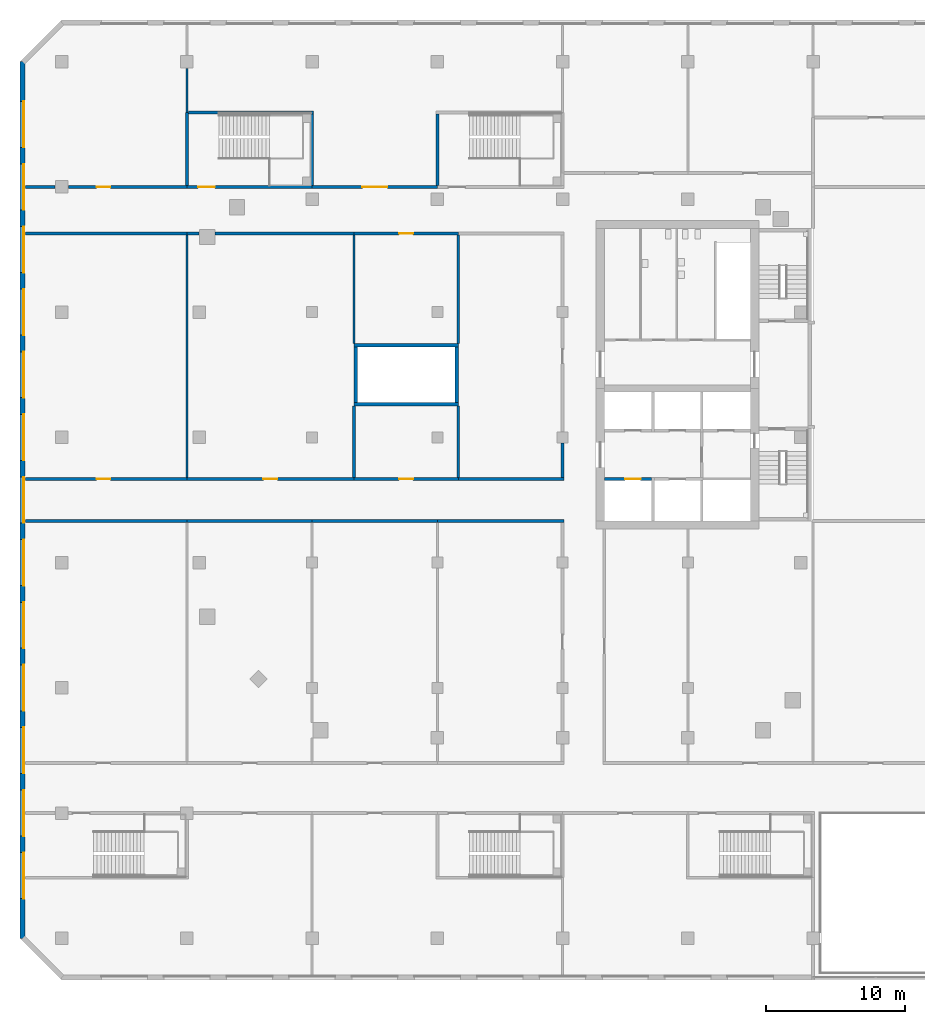
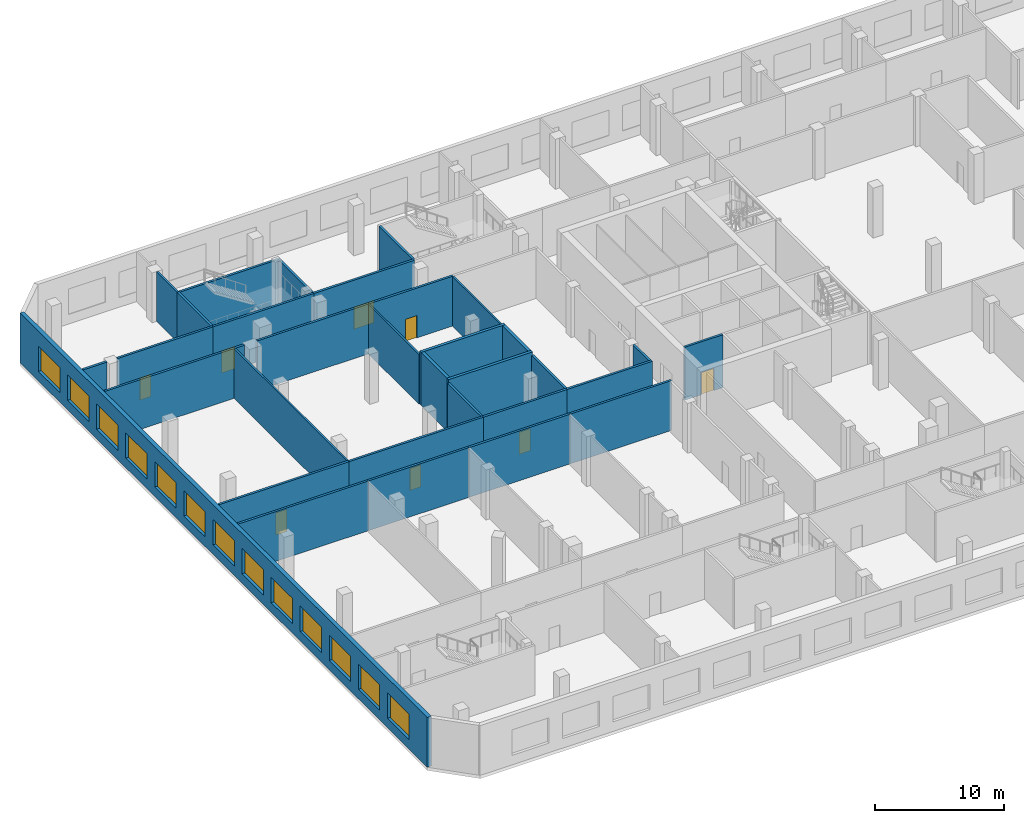
# One storey, part 8 of 23: 33 walls, 13 windows, 8 doors, 21 openings.
"""IFC4 building model written with IfcOpenShell, lengths in metres."""

from ifc_helpers import new_model, si_unit, direction, frame, frame_2d, origin, place, context, subcontext, project, spatial, rectangle, extrude, material, layer, layer_set, type_object, element, fill, save


model = new_model("IFC4")

# Units and contexts
model_context = context("Model", 3, precision=1e-05, world=origin(), true_north=direction((0.0, 1.0)))
body_context = subcontext(model_context, "Body", "Model", "MODEL_VIEW")
ifc_project = project(units=[si_unit("LENGTHUNIT", "METRE"), si_unit("AREAUNIT", "SQUARE_METRE"), si_unit("VOLUMEUNIT", "CUBIC_METRE"), si_unit("PLANEANGLEUNIT", "RADIAN"), si_unit("MASSUNIT", "GRAM", prefix="KILO")], contexts=[model_context])

# Site, building, storey
site_placement = place(None, origin())
site = spatial("IfcSite", under=ifc_project, at=site_placement, CompositionType="ELEMENT")
building_placement = place(site_placement, origin())
building = spatial("IfcBuilding", under=site, at=building_placement, Name="Cinnabar Reach Civic Tower", CompositionType="ELEMENT")
storey_placement = place(building_placement, frame((0.0, 0.0, 6.0)))
storey = spatial("IfcBuildingStorey", under=building, at=storey_placement, Name="L01", CompositionType="ELEMENT", Elevation=6.0)

# Wall, openings, windows
ifc_material_1 = material(Name="Facing brick with insulated backing", Category="masonry")
ifc_layer_1 = layer(ifc_material_1, 0.36)
ifc_layer_set_1 = layer_set([ifc_layer_1], Name="Brick pier and spandrel wall")
wall_type_1 = type_object("IfcWallType", Name="Brick pier and spandrel wall", PredefinedType="STANDARD", material=ifc_layer_set_1)
wall_1_placement = place(storey_placement, frame((-83.82, 54.0, 0.0), z_axis=(0.0, 0.0, 1.0), x_axis=(0.0, -1.0, 0.0)))
wall_1 = element("IfcWall", 1, at=wall_1_placement, inside=storey, type_object=wall_type_1, Name="Brick facade wall", PredefinedType="STANDARD", context=body_context, shape_type="SweptSolid", body=[
    extrude(rectangle(XDim=63.0, YDim=0.36, at=frame_2d((31.5, 0.0))), origin(), (0.0, 0.0, 1.0), 4.7),
])
opening_1_placement = place(wall_1_placement, frame((2.85, 0.0, 0.9)))
opening_1 = element("IfcOpeningElement", 2, at=opening_1_placement, cuts=wall_1, Name="Opening W2919", PredefinedType="OPENING", context=body_context, shape_type="SweptSolid", body=[
    extrude(rectangle(XDim=3.3, YDim=2.4, at=frame_2d((1.65, 1.2))), frame((0.0, 0.19, 0.0), z_axis=(0.0, -1.0, 0.0), x_axis=(1.0, 0.0, 0.0)), (0.0, 0.0, 1.0), 0.38),
])
opening_2_placement = place(wall_1_placement, frame((7.35, 0.0, 0.9)))
opening_2 = element("IfcOpeningElement", 3, at=opening_2_placement, cuts=wall_1, Name="Opening W2920", PredefinedType="OPENING", context=body_context, shape_type="SweptSolid", body=[
    extrude(rectangle(XDim=3.3, YDim=2.4, at=frame_2d((1.65, 1.2))), frame((0.0, 0.19, 0.0), z_axis=(0.0, -1.0, 0.0), x_axis=(1.0, 0.0, 0.0)), (0.0, 0.0, 1.0), 0.38),
])
opening_3_placement = place(wall_1_placement, frame((11.85, 0.0, 0.9)))
opening_3 = element("IfcOpeningElement", 4, at=opening_3_placement, cuts=wall_1, Name="Opening W2921", PredefinedType="OPENING", context=body_context, shape_type="SweptSolid", body=[
    extrude(rectangle(XDim=3.3, YDim=2.4, at=frame_2d((1.65, 1.2))), frame((0.0, 0.19, 0.0), z_axis=(0.0, -1.0, 0.0), x_axis=(1.0, 0.0, 0.0)), (0.0, 0.0, 1.0), 0.38),
])
opening_4_placement = place(wall_1_placement, frame((16.35, 0.0, 0.9)))
opening_4 = element("IfcOpeningElement", 5, at=opening_4_placement, cuts=wall_1, Name="Opening W2922", PredefinedType="OPENING", context=body_context, shape_type="SweptSolid", body=[
    extrude(rectangle(XDim=3.3, YDim=2.4, at=frame_2d((1.65, 1.2))), frame((0.0, 0.19, 0.0), z_axis=(0.0, -1.0, 0.0), x_axis=(1.0, 0.0, 0.0)), (0.0, 0.0, 1.0), 0.38),
])
opening_5_placement = place(wall_1_placement, frame((20.85, 0.0, 0.9)))
opening_5 = element("IfcOpeningElement", 6, at=opening_5_placement, cuts=wall_1, Name="Opening W2923", PredefinedType="OPENING", context=body_context, shape_type="SweptSolid", body=[
    extrude(rectangle(XDim=3.3, YDim=2.4, at=frame_2d((1.65, 1.2))), frame((0.0, 0.19, 0.0), z_axis=(0.0, -1.0, 0.0), x_axis=(1.0, 0.0, 0.0)), (0.0, 0.0, 1.0), 0.38),
])
opening_6_placement = place(wall_1_placement, frame((25.35, 0.0, 0.9)))
opening_6 = element("IfcOpeningElement", 7, at=opening_6_placement, cuts=wall_1, Name="Opening W2924", PredefinedType="OPENING", context=body_context, shape_type="SweptSolid", body=[
    extrude(rectangle(XDim=3.3, YDim=2.4, at=frame_2d((1.65, 1.2))), frame((0.0, 0.19, 0.0), z_axis=(0.0, -1.0, 0.0), x_axis=(1.0, 0.0, 0.0)), (0.0, 0.0, 1.0), 0.38),
])
opening_7_placement = place(wall_1_placement, frame((29.85, 0.0, 0.9)))
opening_7 = element("IfcOpeningElement", 8, at=opening_7_placement, cuts=wall_1, Name="Opening W2925", PredefinedType="OPENING", context=body_context, shape_type="SweptSolid", body=[
    extrude(rectangle(XDim=3.3, YDim=2.4, at=frame_2d((1.65, 1.2))), frame((0.0, 0.19, 0.0), z_axis=(0.0, -1.0, 0.0), x_axis=(1.0, 0.0, 0.0)), (0.0, 0.0, 1.0), 0.38),
])
opening_8_placement = place(wall_1_placement, frame((34.35, 0.0, 0.9)))
opening_8 = element("IfcOpeningElement", 9, at=opening_8_placement, cuts=wall_1, Name="Opening W2926", PredefinedType="OPENING", context=body_context, shape_type="SweptSolid", body=[
    extrude(rectangle(XDim=3.3, YDim=2.4, at=frame_2d((1.65, 1.2))), frame((0.0, 0.19, 0.0), z_axis=(0.0, -1.0, 0.0), x_axis=(1.0, 0.0, 0.0)), (0.0, 0.0, 1.0), 0.38),
])
opening_9_placement = place(wall_1_placement, frame((38.85, 0.0, 0.9)))
opening_9 = element("IfcOpeningElement", 10, at=opening_9_placement, cuts=wall_1, Name="Opening W2927", PredefinedType="OPENING", context=body_context, shape_type="SweptSolid", body=[
    extrude(rectangle(XDim=3.3, YDim=2.4, at=frame_2d((1.65, 1.2))), frame((0.0, 0.19, 0.0), z_axis=(0.0, -1.0, 0.0), x_axis=(1.0, 0.0, 0.0)), (0.0, 0.0, 1.0), 0.38),
])
opening_10_placement = place(wall_1_placement, frame((43.35, 0.0, 0.9)))
opening_10 = element("IfcOpeningElement", 11, at=opening_10_placement, cuts=wall_1, Name="Opening W2928", PredefinedType="OPENING", context=body_context, shape_type="SweptSolid", body=[
    extrude(rectangle(XDim=3.3, YDim=2.4, at=frame_2d((1.65, 1.2))), frame((0.0, 0.19, 0.0), z_axis=(0.0, -1.0, 0.0), x_axis=(1.0, 0.0, 0.0)), (0.0, 0.0, 1.0), 0.38),
])
opening_11_placement = place(wall_1_placement, frame((47.85, 0.0, 0.9)))
opening_11 = element("IfcOpeningElement", 12, at=opening_11_placement, cuts=wall_1, Name="Opening W2929", PredefinedType="OPENING", context=body_context, shape_type="SweptSolid", body=[
    extrude(rectangle(XDim=3.3, YDim=2.4, at=frame_2d((1.65, 1.2))), frame((0.0, 0.19, 0.0), z_axis=(0.0, -1.0, 0.0), x_axis=(1.0, 0.0, 0.0)), (0.0, 0.0, 1.0), 0.38),
])
opening_12_placement = place(wall_1_placement, frame((52.35, 0.0, 0.9)))
opening_12 = element("IfcOpeningElement", 13, at=opening_12_placement, cuts=wall_1, Name="Opening W2930", PredefinedType="OPENING", context=body_context, shape_type="SweptSolid", body=[
    extrude(rectangle(XDim=3.3, YDim=2.4, at=frame_2d((1.65, 1.2))), frame((0.0, 0.19, 0.0), z_axis=(0.0, -1.0, 0.0), x_axis=(1.0, 0.0, 0.0)), (0.0, 0.0, 1.0), 0.38),
])
opening_13_placement = place(wall_1_placement, frame((56.85, 0.0, 0.9)))
opening_13 = element("IfcOpeningElement", 14, at=opening_13_placement, cuts=wall_1, Name="Opening W2931", PredefinedType="OPENING", context=body_context, shape_type="SweptSolid", body=[
    extrude(rectangle(XDim=3.3, YDim=2.4, at=frame_2d((1.65, 1.2))), frame((0.0, 0.19, 0.0), z_axis=(0.0, -1.0, 0.0), x_axis=(1.0, 0.0, 0.0)), (0.0, 0.0, 1.0), 0.38),
])
ifc_material_2 = material(Name="Clear double glazing in aluminium frame", Category="aluminium")
window_type = type_object("IfcWindowType", Name="Podium window P", PartitioningType="SINGLE_PANEL", PredefinedType="WINDOW", material=ifc_material_2)
window_1_placement = place(opening_1_placement, origin())
window_1 = element("IfcWindow", 15, at=window_1_placement, inside=storey, type_object=window_type, Name="Window west face", OverallHeight=2.4, OverallWidth=3.3, PartitioningType="SINGLE_PANEL", PredefinedType="WINDOW", context=body_context, shape_type="SweptSolid", body=[
    extrude(rectangle(XDim=3.3, YDim=2.4, at=frame_2d((1.65, 1.2))), frame((0.0, 0.13, 0.0), z_axis=(0.0, -1.0, 0.0), x_axis=(1.0, 0.0, 0.0)), (0.0, 0.0, 1.0), 0.06),
])
fill(opening_1, window_1)
window_2_placement = place(opening_2_placement, origin())
window_2 = element("IfcWindow", 16, at=window_2_placement, inside=storey, type_object=window_type, Name="Window west face", OverallHeight=2.4, OverallWidth=3.3, PartitioningType="SINGLE_PANEL", PredefinedType="WINDOW", context=body_context, shape_type="SweptSolid", body=[
    extrude(rectangle(XDim=3.3, YDim=2.4, at=frame_2d((1.65, 1.2))), frame((0.0, 0.13, 0.0), z_axis=(0.0, -1.0, 0.0), x_axis=(1.0, 0.0, 0.0)), (0.0, 0.0, 1.0), 0.06),
])
fill(opening_2, window_2)
window_3_placement = place(opening_3_placement, origin())
window_3 = element("IfcWindow", 17, at=window_3_placement, inside=storey, type_object=window_type, Name="Window west face", OverallHeight=2.4, OverallWidth=3.3, PartitioningType="SINGLE_PANEL", PredefinedType="WINDOW", context=body_context, shape_type="SweptSolid", body=[
    extrude(rectangle(XDim=3.3, YDim=2.4, at=frame_2d((1.65, 1.2))), frame((0.0, 0.13, 0.0), z_axis=(0.0, -1.0, 0.0), x_axis=(1.0, 0.0, 0.0)), (0.0, 0.0, 1.0), 0.06),
])
fill(opening_3, window_3)
window_4_placement = place(opening_4_placement, origin())
window_4 = element("IfcWindow", 18, at=window_4_placement, inside=storey, type_object=window_type, Name="Window west face", OverallHeight=2.4, OverallWidth=3.3, PartitioningType="SINGLE_PANEL", PredefinedType="WINDOW", context=body_context, shape_type="SweptSolid", body=[
    extrude(rectangle(XDim=3.3, YDim=2.4, at=frame_2d((1.65, 1.2))), frame((0.0, 0.13, 0.0), z_axis=(0.0, -1.0, 0.0), x_axis=(1.0, 0.0, 0.0)), (0.0, 0.0, 1.0), 0.06),
])
fill(opening_4, window_4)
window_5_placement = place(opening_5_placement, origin())
window_5 = element("IfcWindow", 19, at=window_5_placement, inside=storey, type_object=window_type, Name="Window west face", OverallHeight=2.4, OverallWidth=3.3, PartitioningType="SINGLE_PANEL", PredefinedType="WINDOW", context=body_context, shape_type="SweptSolid", body=[
    extrude(rectangle(XDim=3.3, YDim=2.4, at=frame_2d((1.65, 1.2))), frame((0.0, 0.13, 0.0), z_axis=(0.0, -1.0, 0.0), x_axis=(1.0, 0.0, 0.0)), (0.0, 0.0, 1.0), 0.06),
])
fill(opening_5, window_5)
window_6_placement = place(opening_6_placement, origin())
window_6 = element("IfcWindow", 20, at=window_6_placement, inside=storey, type_object=window_type, Name="Window west face", OverallHeight=2.4, OverallWidth=3.3, PartitioningType="SINGLE_PANEL", PredefinedType="WINDOW", context=body_context, shape_type="SweptSolid", body=[
    extrude(rectangle(XDim=3.3, YDim=2.4, at=frame_2d((1.65, 1.2))), frame((0.0, 0.13, 0.0), z_axis=(0.0, -1.0, 0.0), x_axis=(1.0, 0.0, 0.0)), (0.0, 0.0, 1.0), 0.06),
])
fill(opening_6, window_6)
window_7_placement = place(opening_7_placement, origin())
window_7 = element("IfcWindow", 21, at=window_7_placement, inside=storey, type_object=window_type, Name="Window west face", OverallHeight=2.4, OverallWidth=3.3, PartitioningType="SINGLE_PANEL", PredefinedType="WINDOW", context=body_context, shape_type="SweptSolid", body=[
    extrude(rectangle(XDim=3.3, YDim=2.4, at=frame_2d((1.65, 1.2))), frame((0.0, 0.13, 0.0), z_axis=(0.0, -1.0, 0.0), x_axis=(1.0, 0.0, 0.0)), (0.0, 0.0, 1.0), 0.06),
])
fill(opening_7, window_7)
window_8_placement = place(opening_8_placement, origin())
window_8 = element("IfcWindow", 22, at=window_8_placement, inside=storey, type_object=window_type, Name="Window west face", OverallHeight=2.4, OverallWidth=3.3, PartitioningType="SINGLE_PANEL", PredefinedType="WINDOW", context=body_context, shape_type="SweptSolid", body=[
    extrude(rectangle(XDim=3.3, YDim=2.4, at=frame_2d((1.65, 1.2))), frame((0.0, 0.13, 0.0), z_axis=(0.0, -1.0, 0.0), x_axis=(1.0, 0.0, 0.0)), (0.0, 0.0, 1.0), 0.06),
])
fill(opening_8, window_8)
window_9_placement = place(opening_9_placement, origin())
window_9 = element("IfcWindow", 23, at=window_9_placement, inside=storey, type_object=window_type, Name="Window west face", OverallHeight=2.4, OverallWidth=3.3, PartitioningType="SINGLE_PANEL", PredefinedType="WINDOW", context=body_context, shape_type="SweptSolid", body=[
    extrude(rectangle(XDim=3.3, YDim=2.4, at=frame_2d((1.65, 1.2))), frame((0.0, 0.13, 0.0), z_axis=(0.0, -1.0, 0.0), x_axis=(1.0, 0.0, 0.0)), (0.0, 0.0, 1.0), 0.06),
])
fill(opening_9, window_9)
window_10_placement = place(opening_10_placement, origin())
window_10 = element("IfcWindow", 24, at=window_10_placement, inside=storey, type_object=window_type, Name="Window west face", OverallHeight=2.4, OverallWidth=3.3, PartitioningType="SINGLE_PANEL", PredefinedType="WINDOW", context=body_context, shape_type="SweptSolid", body=[
    extrude(rectangle(XDim=3.3, YDim=2.4, at=frame_2d((1.65, 1.2))), frame((0.0, 0.13, 0.0), z_axis=(0.0, -1.0, 0.0), x_axis=(1.0, 0.0, 0.0)), (0.0, 0.0, 1.0), 0.06),
])
fill(opening_10, window_10)
window_11_placement = place(opening_11_placement, origin())
window_11 = element("IfcWindow", 25, at=window_11_placement, inside=storey, type_object=window_type, Name="Window west face", OverallHeight=2.4, OverallWidth=3.3, PartitioningType="SINGLE_PANEL", PredefinedType="WINDOW", context=body_context, shape_type="SweptSolid", body=[
    extrude(rectangle(XDim=3.3, YDim=2.4, at=frame_2d((1.65, 1.2))), frame((0.0, 0.13, 0.0), z_axis=(0.0, -1.0, 0.0), x_axis=(1.0, 0.0, 0.0)), (0.0, 0.0, 1.0), 0.06),
])
fill(opening_11, window_11)
window_12_placement = place(opening_12_placement, origin())
window_12 = element("IfcWindow", 26, at=window_12_placement, inside=storey, type_object=window_type, Name="Window west face", OverallHeight=2.4, OverallWidth=3.3, PartitioningType="SINGLE_PANEL", PredefinedType="WINDOW", context=body_context, shape_type="SweptSolid", body=[
    extrude(rectangle(XDim=3.3, YDim=2.4, at=frame_2d((1.65, 1.2))), frame((0.0, 0.13, 0.0), z_axis=(0.0, -1.0, 0.0), x_axis=(1.0, 0.0, 0.0)), (0.0, 0.0, 1.0), 0.06),
])
fill(opening_12, window_12)
window_13_placement = place(opening_13_placement, origin())
window_13 = element("IfcWindow", 27, at=window_13_placement, inside=storey, type_object=window_type, Name="Window west face", OverallHeight=2.4, OverallWidth=3.3, PartitioningType="SINGLE_PANEL", PredefinedType="WINDOW", context=body_context, shape_type="SweptSolid", body=[
    extrude(rectangle(XDim=3.3, YDim=2.4, at=frame_2d((1.65, 1.2))), frame((0.0, 0.13, 0.0), z_axis=(0.0, -1.0, 0.0), x_axis=(1.0, 0.0, 0.0)), (0.0, 0.0, 1.0), 0.06),
])
fill(opening_13, window_13)

# Walls
ifc_material_3 = material(Name="Concrete blockwork", Category="masonry")
ifc_layer_2 = layer(ifc_material_3, 0.2)
ifc_layer_set_2 = layer_set([ifc_layer_2], Name="Podium masonry corridor wall 200 EI 120")
wall_type_2 = type_object("IfcWallType", Name="Podium masonry corridor wall 200 EI 120", PredefinedType="PARTITIONING", material=ifc_layer_set_2)
wall_2_placement = place(storey_placement, frame((-45.0, 24.1, 0.0), z_axis=(0.0, 0.0, 1.0), x_axis=(0.0, 1.0, 0.0)))
element("IfcWall", 28, at=wall_2_placement, inside=storey, type_object=wall_type_2, Name="Wall L01 74", PredefinedType="PARTITIONING", context=body_context, shape_type="SweptSolid", body=[
    extrude(rectangle(XDim=2.48, YDim=0.2, at=frame_2d((1.24, 0.0))), origin(), (0.0, 0.0, 1.0), 4.7),
])
wall_3_placement = place(storey_placement, frame((-83.6, 21.0, 0.0), z_axis=(0.0, 0.0, 1.0), x_axis=(1.0, 0.0, 0.0)))
element("IfcWall", 29, at=wall_3_placement, inside=storey, type_object=wall_type_2, Name="Wall L01 77", PredefinedType="PARTITIONING", context=body_context, shape_type="SweptSolid", body=[
    extrude(rectangle(XDim=11.6, YDim=0.2, at=frame_2d((5.8, 0.0))), origin(), (0.0, 0.0, 1.0), 4.7),
])
for number, where, z_axis, x_axis, name in (
    (30, (-72.0, 21.0, 0.0), (0.0, 0.0, 1.0), (1.0, 0.0, 0.0), "Wall L01 78"),
    (31, (-63.0, 21.0, 0.0), (0.0, 0.0, 1.0), (1.0, 0.0, 0.0), "Wall L01 79"),
):
    element("IfcWall", number, at=place(storey_placement, frame(where, z_axis=z_axis, x_axis=x_axis)), inside=storey, type_object=wall_type_2, Name=name, PredefinedType="PARTITIONING", context=body_context, shape_type="SweptSolid", body=[
        extrude(rectangle(XDim=9.0, YDim=0.2, at=frame_2d((4.5, 0.0))), origin(), (0.0, 0.0, 1.0), 4.7),
    ])
wall_4_placement = place(storey_placement, frame((-54.0, 21.0, 0.0), z_axis=(0.0, 0.0, 1.0), x_axis=(1.0, 0.0, 0.0)))
element("IfcWall", 32, at=wall_4_placement, inside=storey, type_object=wall_type_2, Name="Wall L01 80", PredefinedType="PARTITIONING", context=body_context, shape_type="SweptSolid", body=[
    extrude(rectangle(XDim=9.1, YDim=0.2, at=frame_2d((4.55, 0.0))), origin(), (0.0, 0.0, 1.0), 4.7),
])

# Wall, opening, door
wall_5_placement = place(storey_placement, frame((-83.6, 24.0, 0.0), z_axis=(0.0, 0.0, 1.0), x_axis=(1.0, 0.0, 0.0)))
wall_5 = element("IfcWall", 33, at=wall_5_placement, inside=storey, type_object=wall_type_2, Name="Wall L01 81", PredefinedType="PARTITIONING", context=body_context, shape_type="SweptSolid", body=[
    extrude(rectangle(XDim=11.6, YDim=0.2, at=frame_2d((5.8, 0.0))), origin(), (0.0, 0.0, 1.0), 4.7),
])
opening_14_placement = place(wall_5_placement, frame((5.1, 0.0, 0.0)))
opening_14 = element("IfcOpeningElement", 34, at=opening_14_placement, cuts=wall_5, Name="Opening D1073", PredefinedType="OPENING", context=body_context, shape_type="SweptSolid", body=[
    extrude(rectangle(XDim=1.0, YDim=2.1, at=frame_2d((0.5, 1.05))), frame((0.0, 0.11, 0.0), z_axis=(0.0, -1.0, 0.0), x_axis=(1.0, 0.0, 0.0)), (0.0, 0.0, 1.0), 0.22),
])
ifc_material_4 = material(Name="Painted steel door leaf", Category="steel")
door_type_1 = type_object("IfcDoorType", Name="Podium single door 1000x2100", OperationType="SINGLE_SWING_LEFT", PredefinedType="DOOR", material=ifc_material_4)
door_1_placement = place(opening_14_placement, origin())
door_1 = element("IfcDoor", 35, at=door_1_placement, inside=storey, type_object=door_type_1, Name="Door D1073", OperationType="SINGLE_SWING_RIGHT", OverallHeight=2.1, OverallWidth=1.0, PredefinedType="DOOR", context=body_context, shape_type="SweptSolid", body=[
    extrude(rectangle(XDim=1.0, YDim=2.1, at=frame_2d((0.5, 1.05))), frame((0.0, 0.025, 0.0), z_axis=(0.0, -1.0, 0.0), x_axis=(1.0, 0.0, 0.0)), (0.0, 0.0, 1.0), 0.05),
])
fill(opening_14, door_1)

wall_6_placement = place(storey_placement, frame((-72.0, 24.0, 0.0), z_axis=(0.0, 0.0, 1.0), x_axis=(1.0, 0.0, 0.0)))
wall_6 = element("IfcWall", 36, at=wall_6_placement, inside=storey, type_object=wall_type_2, Name="Wall L01 82", PredefinedType="PARTITIONING", context=body_context, shape_type="SweptSolid", body=[
    extrude(rectangle(XDim=12.0, YDim=0.2, at=frame_2d((6.0, 0.0))), origin(), (0.0, 0.0, 1.0), 4.7),
])
opening_15_placement = place(wall_6_placement, frame((5.5, 0.0, 0.0)))
opening_15 = element("IfcOpeningElement", 37, at=opening_15_placement, cuts=wall_6, Name="Opening D1074", PredefinedType="OPENING", context=body_context, shape_type="SweptSolid", body=[
    extrude(rectangle(XDim=1.0, YDim=2.1, at=frame_2d((0.5, 1.05))), frame((0.0, 0.11, 0.0), z_axis=(0.0, -1.0, 0.0), x_axis=(1.0, 0.0, 0.0)), (0.0, 0.0, 1.0), 0.22),
])
door_2_placement = place(opening_15_placement, origin())
door_2 = element("IfcDoor", 38, at=door_2_placement, inside=storey, type_object=door_type_1, Name="Door D1074", OperationType="SINGLE_SWING_RIGHT", OverallHeight=2.1, OverallWidth=1.0, PredefinedType="DOOR", context=body_context, shape_type="SweptSolid", body=[
    extrude(rectangle(XDim=1.0, YDim=2.1, at=frame_2d((0.5, 1.05))), frame((0.0, 0.025, 0.0), z_axis=(0.0, -1.0, 0.0), x_axis=(1.0, 0.0, 0.0)), (0.0, 0.0, 1.0), 0.05),
])
fill(opening_15, door_2)

wall_7_placement = place(storey_placement, frame((-60.0, 24.0, 0.0), z_axis=(0.0, 0.0, 1.0), x_axis=(1.0, 0.0, 0.0)))
wall_7 = element("IfcWall", 39, at=wall_7_placement, inside=storey, type_object=wall_type_2, Name="Wall L01 83", PredefinedType="PARTITIONING", context=body_context, shape_type="SweptSolid", body=[
    extrude(rectangle(XDim=7.5, YDim=0.2, at=frame_2d((3.75, 0.0))), origin(), (0.0, 0.0, 1.0), 4.7),
])
opening_16_placement = place(wall_7_placement, frame((3.25, 0.0, 0.0)))
opening_16 = element("IfcOpeningElement", 40, at=opening_16_placement, cuts=wall_7, Name="Opening D1075", PredefinedType="OPENING", context=body_context, shape_type="SweptSolid", body=[
    extrude(rectangle(XDim=1.0, YDim=2.1, at=frame_2d((0.5, 1.05))), frame((0.0, 0.11, 0.0), z_axis=(0.0, -1.0, 0.0), x_axis=(1.0, 0.0, 0.0)), (0.0, 0.0, 1.0), 0.22),
])
door_3_placement = place(opening_16_placement, origin())
door_3 = element("IfcDoor", 41, at=door_3_placement, inside=storey, type_object=door_type_1, Name="Door D1075", OperationType="SINGLE_SWING_LEFT", OverallHeight=2.1, OverallWidth=1.0, PredefinedType="DOOR", context=body_context, shape_type="SweptSolid", body=[
    extrude(rectangle(XDim=1.0, YDim=2.1, at=frame_2d((0.5, 1.05))), frame((0.0, 0.025, 0.0), z_axis=(0.0, -1.0, 0.0), x_axis=(1.0, 0.0, 0.0)), (0.0, 0.0, 1.0), 0.05),
])
fill(opening_16, door_3)

# Walls
wall_8_placement = place(storey_placement, frame((-52.5, 24.0, 0.0), z_axis=(0.0, 0.0, 1.0), x_axis=(1.0, 0.0, 0.0)))
element("IfcWall", 42, at=wall_8_placement, inside=storey, type_object=wall_type_2, Name="Wall L01 84", PredefinedType="PARTITIONING", context=body_context, shape_type="SweptSolid", body=[
    extrude(rectangle(XDim=7.6, YDim=0.2, at=frame_2d((3.8, 0.0))), origin(), (0.0, 0.0, 1.0), 4.7),
])
wall_9_placement = place(storey_placement, frame((-83.6, 41.65, 0.0), z_axis=(0.0, 0.0, 1.0), x_axis=(1.0, 0.0, 0.0)))
element("IfcWall", 43, at=wall_9_placement, inside=storey, type_object=wall_type_2, Name="Wall L01 85", PredefinedType="PARTITIONING", context=body_context, shape_type="SweptSolid", body=[
    extrude(rectangle(XDim=11.6, YDim=0.2, at=frame_2d((5.8, 0.0))), origin(), (0.0, 0.0, 1.0), 4.7),
])
wall_10_placement = place(storey_placement, frame((-72.0, 41.65, 0.0), z_axis=(0.0, 0.0, 1.0), x_axis=(1.0, 0.0, 0.0)))
element("IfcWall", 44, at=wall_10_placement, inside=storey, type_object=wall_type_2, Name="Wall L01 86", PredefinedType="PARTITIONING", context=body_context, shape_type="SweptSolid", body=[
    extrude(rectangle(XDim=0.8831, YDim=0.2, at=frame_2d((0.4415, 0.0))), origin(), (0.0, 0.0, 1.0), 4.7),
])
wall_11_placement = place(storey_placement, frame((-69.9769, 41.65, 0.0), z_axis=(0.0, 0.0, 1.0), x_axis=(1.0, 0.0, 0.0)))
element("IfcWall", 45, at=wall_11_placement, inside=storey, type_object=wall_type_2, Name="Wall L01 87", PredefinedType="PARTITIONING", context=body_context, shape_type="SweptSolid", body=[
    extrude(rectangle(XDim=9.9769, YDim=0.2, at=frame_2d((4.9885, 0.0))), origin(), (0.0, 0.0, 1.0), 4.7),
])

# Wall, opening, door
wall_12_placement = place(storey_placement, frame((-60.0, 41.65, 0.0), z_axis=(0.0, 0.0, 1.0), x_axis=(1.0, 0.0, 0.0)))
wall_12 = element("IfcWall", 46, at=wall_12_placement, inside=storey, type_object=wall_type_2, Name="Wall L01 88", PredefinedType="PARTITIONING", context=body_context, shape_type="SweptSolid", body=[
    extrude(rectangle(XDim=7.5, YDim=0.2, at=frame_2d((3.75, 0.0))), origin(), (0.0, 0.0, 1.0), 4.7),
])
opening_17_placement = place(wall_12_placement, frame((3.25, 0.0, 0.0)))
opening_17 = element("IfcOpeningElement", 47, at=opening_17_placement, cuts=wall_12, Name="Opening D1076", PredefinedType="OPENING", context=body_context, shape_type="SweptSolid", body=[
    extrude(rectangle(XDim=1.0, YDim=2.1, at=frame_2d((0.5, 1.05))), frame((0.0, 0.11, 0.0), z_axis=(0.0, -1.0, 0.0), x_axis=(1.0, 0.0, 0.0)), (0.0, 0.0, 1.0), 0.22),
])
door_4_placement = place(opening_17_placement, frame((1.0, 0.0, 0.0), z_axis=(0.0, 0.0, 1.0), x_axis=(-1.0, 0.0, 0.0)))
door_4 = element("IfcDoor", 48, at=door_4_placement, inside=storey, type_object=door_type_1, Name="Door D1076", OperationType="SINGLE_SWING_LEFT", OverallHeight=2.1, OverallWidth=1.0, PredefinedType="DOOR", context=body_context, shape_type="SweptSolid", body=[
    extrude(rectangle(XDim=1.0, YDim=2.1, at=frame_2d((0.5, 1.05))), frame((0.0, 0.025, 0.0), z_axis=(0.0, -1.0, 0.0), x_axis=(1.0, 0.0, 0.0)), (0.0, 0.0, 1.0), 0.05),
])
fill(opening_17, door_4)

# Wall
wall_13_placement = place(storey_placement, frame((-83.6, 45.0, 0.0), z_axis=(0.0, 0.0, 1.0), x_axis=(1.0, 0.0, 0.0)))
element("IfcWall", 49, at=wall_13_placement, inside=storey, type_object=wall_type_2, Name="Wall L01 90", PredefinedType="PARTITIONING", context=body_context, shape_type="SweptSolid", body=[
    extrude(rectangle(XDim=2.13, YDim=0.2, at=frame_2d((1.065, 0.0))), origin(), (0.0, 0.0, 1.0), 4.7),
])

# Wall, opening, door
wall_14_placement = place(storey_placement, frame((-80.53, 45.0, 0.0), z_axis=(0.0, 0.0, 1.0), x_axis=(1.0, 0.0, 0.0)))
wall_14 = element("IfcWall", 50, at=wall_14_placement, inside=storey, type_object=wall_type_2, Name="Wall L01 91", PredefinedType="PARTITIONING", context=body_context, shape_type="SweptSolid", body=[
    extrude(rectangle(XDim=8.53, YDim=0.2, at=frame_2d((4.265, 0.0))), origin(), (0.0, 0.0, 1.0), 4.7),
])
opening_18_placement = place(wall_14_placement, frame((2.03, 0.0, 0.0)))
opening_18 = element("IfcOpeningElement", 51, at=opening_18_placement, cuts=wall_14, Name="Opening D1084", PredefinedType="OPENING", context=body_context, shape_type="SweptSolid", body=[
    extrude(rectangle(XDim=1.0, YDim=2.1, at=frame_2d((0.5, 1.05))), frame((0.0, 0.11, 0.0), z_axis=(0.0, -1.0, 0.0), x_axis=(1.0, 0.0, 0.0)), (0.0, 0.0, 1.0), 0.22),
])
door_5_placement = place(opening_18_placement, origin())
door_5 = element("IfcDoor", 52, at=door_5_placement, inside=storey, type_object=door_type_1, Name="Door D1084", OperationType="SINGLE_SWING_LEFT", OverallHeight=2.1, OverallWidth=1.0, PredefinedType="DOOR", context=body_context, shape_type="SweptSolid", body=[
    extrude(rectangle(XDim=1.0, YDim=2.1, at=frame_2d((0.5, 1.05))), frame((0.0, 0.025, 0.0), z_axis=(0.0, -1.0, 0.0), x_axis=(1.0, 0.0, 0.0)), (0.0, 0.0, 1.0), 0.05),
])
fill(opening_18, door_5)

wall_15_placement = place(storey_placement, frame((-63.0, 45.0, 0.0), z_axis=(0.0, 0.0, 1.0), x_axis=(1.0, 0.0, 0.0)))
wall_15 = element("IfcWall", 53, at=wall_15_placement, inside=storey, type_object=wall_type_2, Name="Wall L01 92", PredefinedType="PARTITIONING", context=body_context, shape_type="SweptSolid", body=[
    extrude(rectangle(XDim=9.0, YDim=0.2, at=frame_2d((4.5, 0.0))), origin(), (0.0, 0.0, 1.0), 4.7),
])
opening_19_placement = place(wall_15_placement, frame((3.6, 0.0, 0.0)))
opening_19 = element("IfcOpeningElement", 54, at=opening_19_placement, cuts=wall_15, Name="Opening D1085", PredefinedType="OPENING", context=body_context, shape_type="SweptSolid", body=[
    extrude(rectangle(XDim=1.8, YDim=2.1, at=frame_2d((0.9, 1.05))), frame((0.0, 0.11, 0.0), z_axis=(0.0, -1.0, 0.0), x_axis=(1.0, 0.0, 0.0)), (0.0, 0.0, 1.0), 0.22),
])
door_type_2 = type_object("IfcDoorType", Name="Podium double door 1800x2100", OperationType="DOUBLE_DOOR_SINGLE_SWING", PredefinedType="DOOR", material=ifc_material_4)
door_6_placement = place(opening_19_placement, origin())
door_6 = element("IfcDoor", 55, at=door_6_placement, inside=storey, type_object=door_type_2, Name="Door D1085", OperationType="DOUBLE_DOOR_SINGLE_SWING", OverallHeight=2.1, OverallWidth=1.8, PredefinedType="DOOR", context=body_context, shape_type="SweptSolid", body=[
    extrude(rectangle(XDim=1.8, YDim=2.1, at=frame_2d((0.9, 1.05))), frame((0.0, 0.025, 0.0), z_axis=(0.0, -1.0, 0.0), x_axis=(1.0, 0.0, 0.0)), (0.0, 0.0, 1.0), 0.05),
])
fill(opening_19, door_6)

# Walls
for number, where, z_axis, x_axis, name in (
    (56, (-60.0, 24.1, 0.0), (0.0, 0.0, 1.0), (0.0, 1.0, 0.0), "Wall L01 204"),
    (57, (-52.5, 24.1, 0.0), (0.0, 0.0, 1.0), (0.0, 1.0, 0.0), "Wall L01 206"),
):
    element("IfcWall", number, at=place(storey_placement, frame(where, z_axis=z_axis, x_axis=x_axis)), inside=storey, type_object=wall_type_2, Name=name, PredefinedType="PARTITIONING", context=body_context, shape_type="SweptSolid", body=[
        extrude(rectangle(XDim=5.15, YDim=0.2, at=frame_2d((2.575, 0.0))), origin(), (0.0, 0.0, 1.0), 4.7),
    ])
ifc_material_5 = material(Name="Gypsum board on steel studs", Category="steel")
ifc_layer_3 = layer(ifc_material_5, 0.15)
ifc_layer_set_3 = layer_set([ifc_layer_3], Name="Podium partition wall 150 EI 90")
wall_type_3 = type_object("IfcWallType", Name="Podium partition wall 150 EI 90", PredefinedType="PARTITIONING", material=ifc_layer_set_3)
wall_16_placement = place(storey_placement, frame((-72.0, 24.1, 0.0), z_axis=(0.0, 0.0, 1.0), x_axis=(0.0, 1.0, 0.0)))
element("IfcWall", 58, at=wall_16_placement, inside=storey, type_object=wall_type_3, Name="Wall L01 203", PredefinedType="PARTITIONING", context=body_context, shape_type="SweptSolid", body=[
    extrude(rectangle(XDim=17.45, YDim=0.15, at=frame_2d((8.725, 0.0))), origin(), (0.0, 0.0, 1.0), 4.7),
])
for number, where, z_axis, x_axis, name in (
    (59, (-60.0, 33.75, 0.0), (0.0, 0.0, 1.0), (0.0, 1.0, 0.0), "Wall L01 205"),
    (60, (-52.5, 33.75, 0.0), (0.0, 0.0, 1.0), (0.0, 1.0, 0.0), "Wall L01 207"),
):
    element("IfcWall", number, at=place(storey_placement, frame(where, z_axis=z_axis, x_axis=x_axis)), inside=storey, type_object=wall_type_3, Name=name, PredefinedType="PARTITIONING", context=body_context, shape_type="SweptSolid", body=[
        extrude(rectangle(XDim=7.8, YDim=0.15, at=frame_2d((3.9, 0.0))), origin(), (0.0, 0.0, 1.0), 4.7),
    ])
wall_17_placement = place(storey_placement, frame((-72.0, 50.35, 0.0), z_axis=(0.0, 0.0, 1.0), x_axis=(0.0, 1.0, 0.0)))
element("IfcWall", 61, at=wall_17_placement, inside=storey, type_object=wall_type_3, Name="Wall L01 215", PredefinedType="PARTITIONING", context=body_context, shape_type="SweptSolid", body=[
    extrude(rectangle(XDim=3.18, YDim=0.15, at=frame_2d((1.59, 0.0))), origin(), (0.0, 0.0, 1.0), 4.7),
])

# Wall, opening, door
ifc_material_6 = material(Name="Concrete C40", Category="concrete")
ifc_layer_4 = layer(ifc_material_6, 0.2)
ifc_layer_set_4 = layer_set([ifc_layer_4], Name="Podium stair shaft wall 200 EI 120")
wall_type_4 = type_object("IfcWallType", Name="Podium stair shaft wall 200 EI 120", PredefinedType="SOLIDWALL", material=ifc_layer_set_4)
wall_18_placement = place(storey_placement, frame((-72.0, 45.0, 0.0), z_axis=(0.0, 0.0, 1.0), x_axis=(1.0, 0.0, 0.0)))
wall_18 = element("IfcWall", 62, at=wall_18_placement, inside=storey, type_object=wall_type_4, Name="Wall L01 5", PredefinedType="SOLIDWALL", context=body_context, shape_type="SweptSolid", body=[
    extrude(rectangle(XDim=9.0, YDim=0.2, at=frame_2d((4.5, 0.0))), origin(), (0.0, 0.0, 1.0), 4.7),
])
opening_20_placement = place(wall_18_placement, frame((0.8, 0.0, 0.0)))
opening_20 = element("IfcOpeningElement", 63, at=opening_20_placement, cuts=wall_18, Name="Opening D1094", PredefinedType="OPENING", context=body_context, shape_type="SweptSolid", body=[
    extrude(rectangle(XDim=1.2, YDim=2.1, at=frame_2d((0.6, 1.05))), frame((0.0, 0.11, 0.0), z_axis=(0.0, -1.0, 0.0), x_axis=(1.0, 0.0, 0.0)), (0.0, 0.0, 1.0), 0.22),
])
door_type_3 = type_object("IfcDoorType", Name="Podium single door 1200x2100", OperationType="SINGLE_SWING_LEFT", PredefinedType="DOOR", material=ifc_material_4)
door_7_placement = place(opening_20_placement, origin())
door_7 = element("IfcDoor", 64, at=door_7_placement, inside=storey, type_object=door_type_3, Name="Door D1094", OperationType="SINGLE_SWING_RIGHT", OverallHeight=2.1, OverallWidth=1.2, PredefinedType="DOOR", context=body_context, shape_type="SweptSolid", body=[
    extrude(rectangle(XDim=1.2, YDim=2.1, at=frame_2d((0.6, 1.05))), frame((0.0, 0.025, 0.0), z_axis=(0.0, -1.0, 0.0), x_axis=(1.0, 0.0, 0.0)), (0.0, 0.0, 1.0), 0.05),
])
fill(opening_20, door_7)

# Walls
wall_19_placement = place(storey_placement, frame((-72.0, 45.1, 0.0), z_axis=(0.0, 0.0, 1.0), x_axis=(0.0, 1.0, 0.0)))
element("IfcWall", 65, at=wall_19_placement, inside=storey, type_object=wall_type_4, Name="Wall L01 6", PredefinedType="SOLIDWALL", context=body_context, shape_type="SweptSolid", body=[
    extrude(rectangle(XDim=5.25, YDim=0.2, at=frame_2d((2.625, 0.0))), origin(), (0.0, 0.0, 1.0), 4.7),
])
wall_20_placement = place(storey_placement, frame((-71.9, 50.35, 0.0), z_axis=(0.0, 0.0, 1.0), x_axis=(1.0, 0.0, 0.0)))
element("IfcWall", 66, at=wall_20_placement, inside=storey, type_object=wall_type_4, Name="Wall L01 7", PredefinedType="SOLIDWALL", context=body_context, shape_type="SweptSolid", body=[
    extrude(rectangle(XDim=9.0, YDim=0.2, at=frame_2d((4.5, 0.0))), origin(), (0.0, 0.0, 1.0), 4.7),
])
for number, where, z_axis, x_axis, name in (
    (67, (-63.0, 45.1, 0.0), (0.0, 0.0, 1.0), (0.0, 1.0, 0.0), "Wall L01 8"),
    (68, (-54.0, 45.1, 0.0), (0.0, 0.0, 1.0), (0.0, 1.0, 0.0), "Wall L01 31"),
):
    element("IfcWall", number, at=place(storey_placement, frame(where, z_axis=z_axis, x_axis=x_axis)), inside=storey, type_object=wall_type_4, Name=name, PredefinedType="SOLIDWALL", context=body_context, shape_type="SweptSolid", body=[
        extrude(rectangle(XDim=5.15, YDim=0.2, at=frame_2d((2.575, 0.0))), origin(), (0.0, 0.0, 1.0), 4.7),
    ])
ifc_material_7 = material(Name="Concrete C60", Category="concrete")
ifc_layer_5 = layer(ifc_material_7, 0.25)
ifc_layer_set_5 = layer_set([ifc_layer_5], Name="Stair shaft wall 250 EI 120")
wall_type_5 = type_object("IfcWallType", Name="Stair shaft wall 250 EI 120", PredefinedType="SOLIDWALL", material=ifc_layer_set_5)
for number, where, z_axis, x_axis, name in (
    (69, (-60.0, 29.375, 0.0), (0.0, 0.0, 1.0), (1.0, 0.0, 0.0), "Stair shaft wall T2-S3 L01"),
    (70, (-52.5, 33.625, 0.0), (0.0, 0.0, 1.0), (-1.0, 0.0, 0.0), "Stair shaft wall T2-S3 L01"),
):
    element("IfcWall", number, at=place(storey_placement, frame(where, z_axis=z_axis, x_axis=x_axis)), inside=storey, type_object=wall_type_5, Name=name, PredefinedType="SOLIDWALL", context=body_context, shape_type="SweptSolid", body=[
        extrude(rectangle(XDim=7.5, YDim=0.25, at=frame_2d((3.75, 0.0))), origin(), (0.0, 0.0, 1.0), 5.0),
    ])
for number, where, z_axis, x_axis, name in (
    (71, (-52.625, 29.5, 0.0), (0.0, 0.0, 1.0), (0.0, 1.0, 0.0), "Stair shaft wall T2-S3 L01"),
    (72, (-59.875, 33.5, 0.0), (0.0, 0.0, 1.0), (0.0, -1.0, 0.0), "Stair shaft wall T2-S3 L01"),
):
    element("IfcWall", number, at=place(storey_placement, frame(where, z_axis=z_axis, x_axis=x_axis)), inside=storey, type_object=wall_type_5, Name=name, PredefinedType="SOLIDWALL", context=body_context, shape_type="SweptSolid", body=[
        extrude(rectangle(XDim=4.0, YDim=0.25, at=frame_2d((2.0, 0.0))), origin(), (0.0, 0.0, 1.0), 5.0),
    ])

# Wall, opening, door
ifc_layer_6 = layer(ifc_material_6, 0.2)
ifc_layer_set_6 = layer_set([ifc_layer_6], Name="T2 Shaft wall 200")
wall_type_6 = type_object("IfcWallType", Name="T2 Shaft wall 200", PredefinedType="SOLIDWALL", material=ifc_layer_set_6)
wall_21_placement = place(storey_placement, frame((-38.6, 24.0, 0.0), z_axis=(0.0, 0.0, 1.0), x_axis=(-1.0, 0.0, 0.0)))
wall_21 = element("IfcWall", 73, at=wall_21_placement, inside=storey, type_object=wall_type_6, Name="T2 Shaft wall L01 002", PredefinedType="SOLIDWALL", context=body_context, shape_type="SweptSolid", body=[
    extrude(rectangle(XDim=3.4, YDim=0.2, at=frame_2d((1.7, 0.0))), origin(), (0.0, 0.0, 1.0), 5.0),
])
opening_21_placement = place(wall_21_placement, frame((0.8, 0.0, 0.0)))
opening_21 = element("IfcOpeningElement", 74, at=opening_21_placement, cuts=wall_21, Name="Opening D6033", PredefinedType="OPENING", context=body_context, shape_type="SweptSolid", body=[
    extrude(rectangle(XDim=1.1, YDim=2.1, at=frame_2d((0.55, 1.05))), frame((0.0, 0.11, 0.0), z_axis=(0.0, -1.0, 0.0), x_axis=(1.0, 0.0, 0.0)), (0.0, 0.0, 1.0), 0.22),
])
ifc_material_8 = material(Name="Steel fire door", Category="steel")
door_type_4 = type_object("IfcDoorType", Name="T2 Lift landing door 1100", OperationType="SLIDING_TO_LEFT", PredefinedType="DOOR", material=ifc_material_8)
door_8_placement = place(opening_21_placement, origin())
door_8 = element("IfcDoor", 75, at=door_8_placement, inside=storey, type_object=door_type_4, Name="T2 Lift landing door D6033", OperationType="SLIDING_TO_LEFT", OverallHeight=2.1, OverallWidth=1.1, PredefinedType="DOOR", context=body_context, shape_type="SweptSolid", body=[
    extrude(rectangle(XDim=1.1, YDim=2.1, at=frame_2d((0.55, 1.05))), frame((0.0, 0.025, 0.0), z_axis=(0.0, -1.0, 0.0), x_axis=(1.0, 0.0, 0.0)), (0.0, 0.0, 1.0), 0.05),
])
fill(opening_21, door_8)

save(model, "model.ifc")
